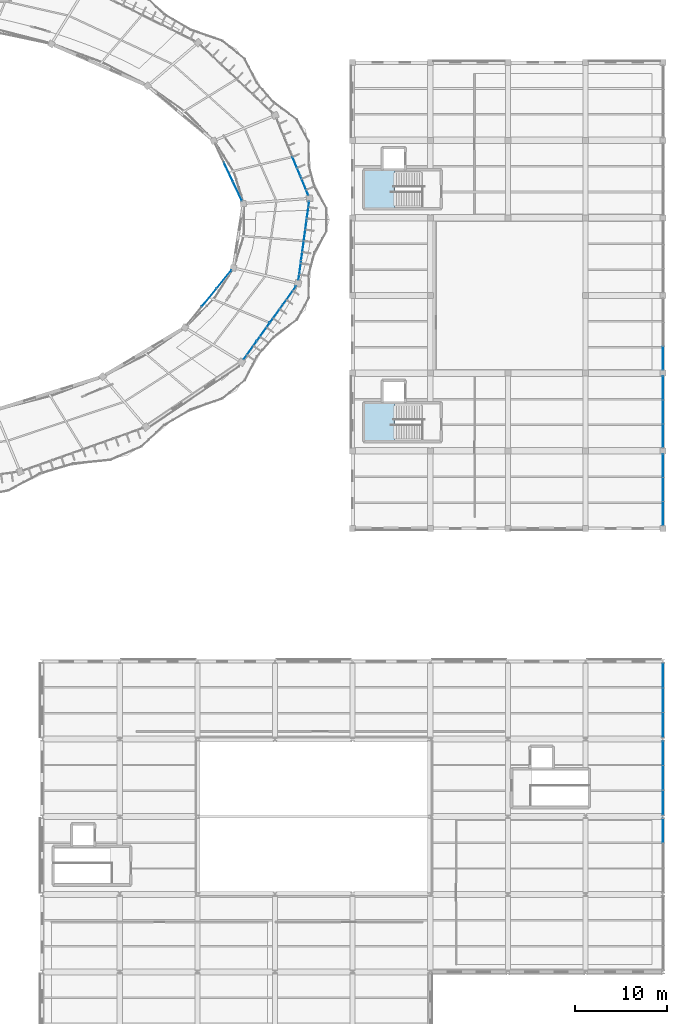
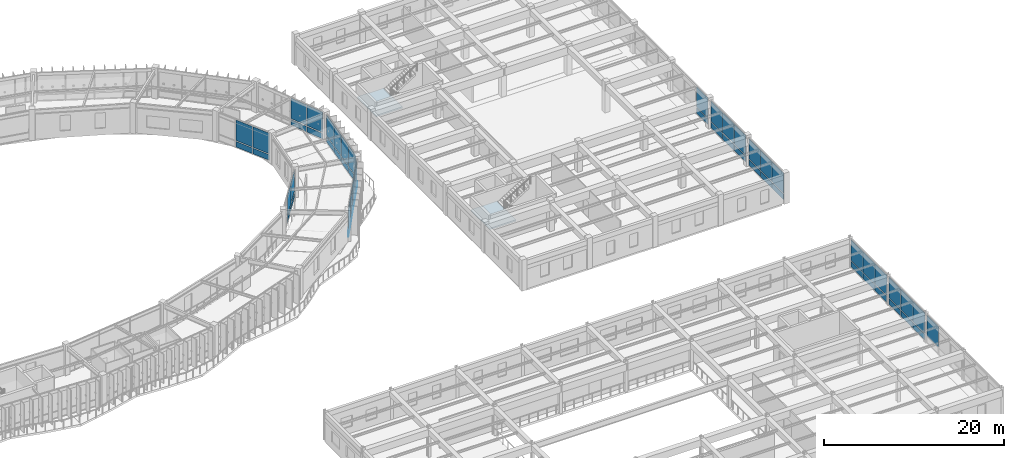
# One storey, part 107 of 138: 55 plates, 2 slabs, 13 elements without a shape of their own.
"""IFC4 building model written with IfcOpenShell, lengths in metres."""

from ifc_helpers import new_model, si_unit, direction, frame, origin, origin_2d, place, context, subcontext, project, spatial, polyline, rectangle, outline, extrude, material, layer, layer_set, type_object, element, aggregate, save


model = new_model("IFC4")

# Units and contexts
model_context = context("Model", 3, precision=1e-05, world=origin(), true_north=direction((0.0, 1.0)))
body_context = subcontext(model_context, "Body", "Model", "MODEL_VIEW")
ifc_project = project(units=[si_unit("LENGTHUNIT", "METRE"), si_unit("AREAUNIT", "SQUARE_METRE"), si_unit("VOLUMEUNIT", "CUBIC_METRE"), si_unit("PLANEANGLEUNIT", "RADIAN"), si_unit("MASSUNIT", "GRAM", prefix="KILO"), si_unit("THERMODYNAMICTEMPERATUREUNIT", "KELVIN"), si_unit("POWERUNIT", "WATT")], contexts=[model_context])

# Site, building, storey
site_placement = place(None, origin())
site = spatial("IfcSite", under=ifc_project, at=site_placement, CompositionType="ELEMENT")
building_placement = place(site_placement, origin())
building = spatial("IfcBuilding", under=site, at=building_placement, Name="Darbajah Civic Hall", CompositionType="ELEMENT")
storey_placement = place(building_placement, frame((0.0, 0.0, 9.60009765625)))
storey = spatial("IfcBuildingStorey", under=building, at=storey_placement, Name="L02", CompositionType="ELEMENT", Elevation=9.60009765625)

# Curtain wall, plates
ifc_material_1 = material(Name="Anodised Bronze Aluminium and Low-E Glazing", Category="aluminium")
curtain_wall_type_1 = type_object("IfcCurtainWallType", Name="Unitised Curtain Wall CW-38 6800x3900", PredefinedType="USERDEFINED", material=ifc_material_1)
curtain_wall_1_placement = place(storey_placement, origin())
curtain_wall_1 = element("IfcCurtainWall", 1, at=curtain_wall_1_placement, inside=storey, type_object=curtain_wall_type_1, Name="L02 unitised curtain wall CW-V1I-L02-00", ObjectType="UNITISED CURTAIN WALL", PredefinedType="USERDEFINED")
ifc_material_2 = material(Name="Low-E Solar Control Double Glazing", Category="glass")
ifc_layer_1 = layer(ifc_material_2, 0.028076171875, Name="Low-E Solar Control Double Glazing")
ifc_layer_set_1 = layer_set([ifc_layer_1], Name="Low-E Solar Control Double Glazing")
plate_type_1 = type_object("IfcPlateType", Name="Solar Double Glazing 28mm", PredefinedType="CURTAIN_PANEL", material=ifc_layer_set_1)
plate_1_placement = place(storey_placement, frame((132.138916015625, 92.87744140625, 0.119873046875), z_axis=(0.0, 0.0, 1.0), x_axis=(-0.426568739901, 0.904455145454, 0.0)))
plate_1 = element("IfcPlate", 2, at=plate_1_placement, type_object=plate_type_1, Name="CW-V1I-L02-00 glazed panel 1.1", PredefinedType="CURTAIN_PANEL", context=body_context, shape_type="SweptSolid", body=[
    extrude(rectangle(XDim=2.212158203125, YDim=0.028076171875, at=origin_2d()), origin(), (0.0, 0.0, 1.0), 0.77001953125),
])
plate_2_placement = place(storey_placement, frame((132.138916015625, 92.87744140625, 1.009765625), z_axis=(0.0, 0.0, 1.0), x_axis=(-0.426568739901, 0.904455145454, 0.0)))
plate_2 = element("IfcPlate", 3, at=plate_2_placement, type_object=plate_type_1, Name="CW-V1I-L02-00 glazed panel 1.2", PredefinedType="CURTAIN_PANEL", context=body_context, shape_type="SweptSolid", body=[
    extrude(rectangle(XDim=2.212158203125, YDim=0.028076171875, at=origin_2d()), origin(), (0.0, 0.0, 1.0), 2.7900390625),
])
plate_3_placement = place(storey_placement, frame((131.16552734375, 94.941650390625, 0.119873046875), z_axis=(0.0, 0.0, 1.0), x_axis=(-0.426568739901, 0.904455145454, 0.0)))
plate_3 = element("IfcPlate", 4, at=plate_3_placement, type_object=plate_type_1, Name="CW-V1I-L02-00 glazed panel 2.1", PredefinedType="CURTAIN_PANEL", context=body_context, shape_type="SweptSolid", body=[
    extrude(rectangle(XDim=2.212158203125, YDim=0.028076171875, at=origin_2d()), origin(), (0.0, 0.0, 1.0), 0.77001953125),
])
plate_4_placement = place(storey_placement, frame((131.16552734375, 94.941650390625, 1.009765625), z_axis=(0.0, 0.0, 1.0), x_axis=(-0.426568739901, 0.904455145454, 0.0)))
plate_4 = element("IfcPlate", 5, at=plate_4_placement, type_object=plate_type_1, Name="CW-V1I-L02-00 glazed panel 2.2", PredefinedType="CURTAIN_PANEL", context=body_context, shape_type="SweptSolid", body=[
    extrude(rectangle(XDim=2.212158203125, YDim=0.028076171875, at=origin_2d()), origin(), (0.0, 0.0, 1.0), 2.7900390625),
])
aggregate(curtain_wall_1, [plate_1, plate_2, plate_3, plate_4])

curtain_wall_type_2 = type_object("IfcCurtainWallType", Name="Unitised Curtain Wall CW-52 7700x3900", PredefinedType="USERDEFINED", material=ifc_material_1)
curtain_wall_2_placement = place(storey_placement, origin())
curtain_wall_2 = element("IfcCurtainWall", 6, at=curtain_wall_2_placement, inside=storey, type_object=curtain_wall_type_2, Name="L02 unitised curtain wall CW-V1I-L02-18", ObjectType="UNITISED CURTAIN WALL", PredefinedType="USERDEFINED")
plate_5_placement = place(storey_placement, frame((129.067626953125, 81.371337890625, 0.119873046875), z_axis=(0.0, 0.0, 1.0), x_axis=(0.63108205791, 0.775716079622, 0.0)))
plate_5 = element("IfcPlate", 7, at=plate_5_placement, type_object=plate_type_1, Name="CW-V1I-L02-18 glazed panel 2.1", PredefinedType="CURTAIN_PANEL", context=body_context, shape_type="SweptSolid", body=[
    extrude(rectangle(XDim=2.48193359375, YDim=0.028076171875, at=origin_2d()), origin(), (0.0, 0.0, 1.0), 0.77001953125),
])
plate_6_placement = place(storey_placement, frame((129.067626953125, 81.371337890625, 1.009765625), z_axis=(0.0, 0.0, 1.0), x_axis=(0.63108205791, 0.775716079622, 0.0)))
plate_6 = element("IfcPlate", 8, at=plate_6_placement, type_object=plate_type_1, Name="CW-V1I-L02-18 glazed panel 2.2", PredefinedType="CURTAIN_PANEL", context=body_context, shape_type="SweptSolid", body=[
    extrude(rectangle(XDim=2.48193359375, YDim=0.028076171875, at=origin_2d()), origin(), (0.0, 0.0, 1.0), 2.7900390625),
])
plate_7_placement = place(storey_placement, frame((130.67822265625, 83.350830078125, 0.119873046875), z_axis=(0.0, 0.0, 1.0), x_axis=(0.63108205791, 0.775716079622, 0.0)))
plate_7 = element("IfcPlate", 9, at=plate_7_placement, type_object=plate_type_1, Name="CW-V1I-L02-18 glazed panel 3.1", PredefinedType="CURTAIN_PANEL", context=body_context, shape_type="SweptSolid", body=[
    extrude(rectangle(XDim=2.48193359375, YDim=0.028076171875, at=origin_2d()), origin(), (0.0, 0.0, 1.0), 0.77001953125),
])
plate_8_placement = place(storey_placement, frame((130.67822265625, 83.350830078125, 1.009765625), z_axis=(0.0, 0.0, 1.0), x_axis=(0.63108205791, 0.775716079622, 0.0)))
plate_8 = element("IfcPlate", 10, at=plate_8_placement, type_object=plate_type_1, Name="CW-V1I-L02-18 glazed panel 3.2", PredefinedType="CURTAIN_PANEL", context=body_context, shape_type="SweptSolid", body=[
    extrude(rectangle(XDim=2.48193359375, YDim=0.028076171875, at=origin_2d()), origin(), (0.0, 0.0, 1.0), 2.7900390625),
])
aggregate(curtain_wall_2, [plate_5, plate_6, plate_7, plate_8])

curtain_wall_type_3 = type_object("IfcCurtainWallType", Name="Unitised Curtain Wall CW-53 8600x3900", PredefinedType="USERDEFINED", material=ifc_material_1)
curtain_wall_3_placement = place(storey_placement, origin())
curtain_wall_3 = element("IfcCurtainWall", 11, at=curtain_wall_3_placement, inside=storey, type_object=curtain_wall_type_3, Name="L02 unitised curtain wall CW-V1O-L02-19", ObjectType="UNITISED CURTAIN WALL", PredefinedType="USERDEFINED")
plate_9_placement = place(storey_placement, frame((138.883056640625, 84.3251953125, 0.119873046875), z_axis=(0.0, 0.0, 1.0), x_axis=(0.134850930274, 0.990865897387, 0.0)))
plate_9 = element("IfcPlate", 12, at=plate_9_placement, type_object=plate_type_1, Name="CW-V1O-L02-19 glazed panel 1.1", PredefinedType="CURTAIN_PANEL", context=body_context, shape_type="SweptSolid", body=[
    extrude(rectangle(XDim=2.075439453125, YDim=0.028076171875, at=origin_2d()), origin(), (0.0, 0.0, 1.0), 0.77001953125),
])
plate_10_placement = place(storey_placement, frame((138.883056640625, 84.3251953125, 1.009765625), z_axis=(0.0, 0.0, 1.0), x_axis=(0.134850930274, 0.990865897387, 0.0)))
plate_10 = element("IfcPlate", 13, at=plate_10_placement, type_object=plate_type_1, Name="CW-V1O-L02-19 glazed panel 1.2", PredefinedType="CURTAIN_PANEL", context=body_context, shape_type="SweptSolid", body=[
    extrude(rectangle(XDim=2.075439453125, YDim=0.028076171875, at=origin_2d()), origin(), (0.0, 0.0, 1.0), 2.7900390625),
])
plate_11_placement = place(storey_placement, frame((139.172119140625, 86.450927734375, 0.119873046875), z_axis=(0.0, 0.0, 1.0), x_axis=(0.134850930274, 0.990865897387, 0.0)))
plate_11 = element("IfcPlate", 14, at=plate_11_placement, type_object=plate_type_1, Name="CW-V1O-L02-19 glazed panel 2.1", PredefinedType="CURTAIN_PANEL", context=body_context, shape_type="SweptSolid", body=[
    extrude(rectangle(XDim=2.075439453125, YDim=0.028076171875, at=origin_2d()), origin(), (0.0, 0.0, 1.0), 0.77001953125),
])
plate_12_placement = place(storey_placement, frame((139.172119140625, 86.450927734375, 1.009765625), z_axis=(0.0, 0.0, 1.0), x_axis=(0.134850930274, 0.990865897387, 0.0)))
plate_12 = element("IfcPlate", 15, at=plate_12_placement, type_object=plate_type_1, Name="CW-V1O-L02-19 glazed panel 2.2", PredefinedType="CURTAIN_PANEL", context=body_context, shape_type="SweptSolid", body=[
    extrude(rectangle(XDim=2.075439453125, YDim=0.028076171875, at=origin_2d()), origin(), (0.0, 0.0, 1.0), 2.7900390625),
])
plate_13_placement = place(storey_placement, frame((139.46142578125, 88.576904296875, 0.119873046875), z_axis=(0.0, 0.0, 1.0), x_axis=(0.134850930274, 0.990865897387, 0.0)))
plate_13 = element("IfcPlate", 16, at=plate_13_placement, type_object=plate_type_1, Name="CW-V1O-L02-19 glazed panel 3.1", PredefinedType="CURTAIN_PANEL", context=body_context, shape_type="SweptSolid", body=[
    extrude(rectangle(XDim=2.075439453125, YDim=0.028076171875, at=origin_2d()), origin(), (0.0, 0.0, 1.0), 0.77001953125),
])
plate_14_placement = place(storey_placement, frame((139.46142578125, 88.576904296875, 1.009765625), z_axis=(0.0, 0.0, 1.0), x_axis=(0.134850930274, 0.990865897387, 0.0)))
plate_14 = element("IfcPlate", 17, at=plate_14_placement, type_object=plate_type_1, Name="CW-V1O-L02-19 glazed panel 3.2", PredefinedType="CURTAIN_PANEL", context=body_context, shape_type="SweptSolid", body=[
    extrude(rectangle(XDim=2.075439453125, YDim=0.028076171875, at=origin_2d()), origin(), (0.0, 0.0, 1.0), 2.7900390625),
])
plate_15_placement = place(storey_placement, frame((139.750732421875, 90.70263671875, 0.119873046875), z_axis=(0.0, 0.0, 1.0), x_axis=(0.134850930274, 0.990865897387, 0.0)))
plate_15 = element("IfcPlate", 18, at=plate_15_placement, type_object=plate_type_1, Name="CW-V1O-L02-19 glazed panel 4.1", PredefinedType="CURTAIN_PANEL", context=body_context, shape_type="SweptSolid", body=[
    extrude(rectangle(XDim=2.075439453125, YDim=0.028076171875, at=origin_2d()), origin(), (0.0, 0.0, 1.0), 0.77001953125),
])
plate_16_placement = place(storey_placement, frame((139.750732421875, 90.70263671875, 1.009765625), z_axis=(0.0, 0.0, 1.0), x_axis=(0.134850930274, 0.990865897387, 0.0)))
plate_16 = element("IfcPlate", 19, at=plate_16_placement, type_object=plate_type_1, Name="CW-V1O-L02-19 glazed panel 4.2", PredefinedType="CURTAIN_PANEL", context=body_context, shape_type="SweptSolid", body=[
    extrude(rectangle(XDim=2.075439453125, YDim=0.028076171875, at=origin_2d()), origin(), (0.0, 0.0, 1.0), 2.7900390625),
])
aggregate(curtain_wall_3, [plate_9, plate_10, plate_11, plate_12, plate_13, plate_14, plate_15, plate_16])

curtain_wall_type_4 = type_object("IfcCurtainWallType", Name="Unitised Curtain Wall CW-37 9000x3900", PredefinedType="USERDEFINED", material=ifc_material_1)
curtain_wall_4_placement = place(storey_placement, origin())
curtain_wall_4 = element("IfcCurtainWall", 20, at=curtain_wall_4_placement, inside=storey, type_object=curtain_wall_type_4, Name="L02 unitised curtain wall CW-V1O-L02-00", ObjectType="UNITISED CURTAIN WALL", PredefinedType="USERDEFINED")
ifc_layer_2 = layer(ifc_material_2, 0.031982421875, Name="Low-E Solar Control Double Glazing")
ifc_layer_set_2 = layer_set([ifc_layer_2], Name="Low-E Solar Control Double Glazing")
plate_type_2 = type_object("IfcPlateType", Name="Solar Double Glazing 32mm", PredefinedType="CURTAIN_PANEL", material=ifc_layer_set_2)
plate_17_placement = place(storey_placement, frame((139.3759765625, 93.47998046875, 0.14013671875), z_axis=(0.0, 0.0, 1.0), x_axis=(-0.383328328644, 0.923612143954, 0.0)))
plate_17 = element("IfcPlate", 21, at=plate_17_placement, type_object=plate_type_2, Name="CW-V1O-L02-00 glazed panel 1.1", PredefinedType="CURTAIN_PANEL", context=body_context, shape_type="SweptSolid", body=[
    extrude(rectangle(XDim=2.17822265625, YDim=0.031982421875, at=origin_2d()), origin(), (0.0, 0.0, 1.0), 0.739990234375),
])
plate_18_placement = place(storey_placement, frame((139.3759765625, 93.47998046875, 1.02001953125), z_axis=(0.0, 0.0, 1.0), x_axis=(-0.383328328644, 0.923612143954, 0.0)))
plate_18 = element("IfcPlate", 22, at=plate_18_placement, type_object=plate_type_2, Name="CW-V1O-L02-00 glazed panel 1.2", PredefinedType="CURTAIN_PANEL", context=body_context, shape_type="SweptSolid", body=[
    extrude(rectangle(XDim=2.17822265625, YDim=0.031982421875, at=origin_2d()), origin(), (0.0, 0.0, 1.0), 2.760009765625),
])
plate_19_placement = place(storey_placement, frame((138.51220703125, 95.561279296875, 0.14013671875), z_axis=(0.0, 0.0, 1.0), x_axis=(-0.383328328644, 0.923612143954, 0.0)))
plate_19 = element("IfcPlate", 23, at=plate_19_placement, type_object=plate_type_2, Name="CW-V1O-L02-00 glazed panel 2.1", PredefinedType="CURTAIN_PANEL", context=body_context, shape_type="SweptSolid", body=[
    extrude(rectangle(XDim=2.17822265625, YDim=0.031982421875, at=origin_2d()), origin(), (0.0, 0.0, 1.0), 0.739990234375),
])
plate_20_placement = place(storey_placement, frame((138.51220703125, 95.561279296875, 1.02001953125), z_axis=(0.0, 0.0, 1.0), x_axis=(-0.383328328644, 0.923612143954, 0.0)))
plate_20 = element("IfcPlate", 24, at=plate_20_placement, type_object=plate_type_2, Name="CW-V1O-L02-00 glazed panel 2.2", PredefinedType="CURTAIN_PANEL", context=body_context, shape_type="SweptSolid", body=[
    extrude(rectangle(XDim=2.17822265625, YDim=0.031982421875, at=origin_2d()), origin(), (0.0, 0.0, 1.0), 2.760009765625),
])
aggregate(curtain_wall_4, [plate_17, plate_18, plate_19, plate_20])

curtain_wall_type_5 = type_object("IfcCurtainWallType", Name="Unitised Curtain Wall CW-51 9800x3900", PredefinedType="USERDEFINED", material=ifc_material_1)
curtain_wall_5_placement = place(storey_placement, origin())
curtain_wall_5 = element("IfcCurtainWall", 25, at=curtain_wall_5_placement, inside=storey, type_object=curtain_wall_type_5, Name="L02 unitised curtain wall CW-V1O-L02-18", ObjectType="UNITISED CURTAIN WALL", PredefinedType="USERDEFINED")
plate_21_placement = place(storey_placement, frame((133.501708984375, 75.6669921875, 0.14013671875), z_axis=(0.0, 0.0, 1.0), x_axis=(0.582264874145, 0.812999149039, 0.0)))
plate_21 = element("IfcPlate", 26, at=plate_21_placement, type_object=plate_type_2, Name="CW-V1O-L02-18 glazed panel 1.1", PredefinedType="CURTAIN_PANEL", context=body_context, shape_type="SweptSolid", body=[
    extrude(rectangle(XDim=2.37109375, YDim=0.031982421875, at=origin_2d()), origin(), (0.0, 0.0, 1.0), 0.739990234375),
])
plate_22_placement = place(storey_placement, frame((133.501708984375, 75.6669921875, 1.02001953125), z_axis=(0.0, 0.0, 1.0), x_axis=(0.582264874145, 0.812999149039, 0.0)))
plate_22 = element("IfcPlate", 27, at=plate_22_placement, type_object=plate_type_2, Name="CW-V1O-L02-18 glazed panel 1.2", PredefinedType="CURTAIN_PANEL", context=body_context, shape_type="SweptSolid", body=[
    extrude(rectangle(XDim=2.37109375, YDim=0.031982421875, at=origin_2d()), origin(), (0.0, 0.0, 1.0), 2.760009765625),
])
plate_23_placement = place(storey_placement, frame((134.92578125, 77.655517578125, 0.14013671875), z_axis=(0.0, 0.0, 1.0), x_axis=(0.582264874145, 0.812999149039, 0.0)))
plate_23 = element("IfcPlate", 28, at=plate_23_placement, type_object=plate_type_2, Name="CW-V1O-L02-18 glazed panel 2.1", PredefinedType="CURTAIN_PANEL", context=body_context, shape_type="SweptSolid", body=[
    extrude(rectangle(XDim=2.37109375, YDim=0.031982421875, at=origin_2d()), origin(), (0.0, 0.0, 1.0), 0.739990234375),
])
plate_24_placement = place(storey_placement, frame((134.92578125, 77.655517578125, 1.02001953125), z_axis=(0.0, 0.0, 1.0), x_axis=(0.582264874145, 0.812999149039, 0.0)))
plate_24 = element("IfcPlate", 29, at=plate_24_placement, type_object=plate_type_2, Name="CW-V1O-L02-18 glazed panel 2.2", PredefinedType="CURTAIN_PANEL", context=body_context, shape_type="SweptSolid", body=[
    extrude(rectangle(XDim=2.37109375, YDim=0.031982421875, at=origin_2d()), origin(), (0.0, 0.0, 1.0), 2.760009765625),
])
plate_25_placement = place(storey_placement, frame((136.349853515625, 79.64404296875, 0.14013671875), z_axis=(0.0, 0.0, 1.0), x_axis=(0.582264874145, 0.812999149039, 0.0)))
plate_25 = element("IfcPlate", 30, at=plate_25_placement, type_object=plate_type_2, Name="CW-V1O-L02-18 glazed panel 3.1", PredefinedType="CURTAIN_PANEL", context=body_context, shape_type="SweptSolid", body=[
    extrude(rectangle(XDim=2.37109375, YDim=0.031982421875, at=origin_2d()), origin(), (0.0, 0.0, 1.0), 0.739990234375),
])
plate_26_placement = place(storey_placement, frame((136.349853515625, 79.64404296875, 1.02001953125), z_axis=(0.0, 0.0, 1.0), x_axis=(0.582264874145, 0.812999149039, 0.0)))
plate_26 = element("IfcPlate", 31, at=plate_26_placement, type_object=plate_type_2, Name="CW-V1O-L02-18 glazed panel 3.2", PredefinedType="CURTAIN_PANEL", context=body_context, shape_type="SweptSolid", body=[
    extrude(rectangle(XDim=2.37109375, YDim=0.031982421875, at=origin_2d()), origin(), (0.0, 0.0, 1.0), 2.760009765625),
])
plate_27_placement = place(storey_placement, frame((137.77392578125, 81.6328125, 0.14013671875), z_axis=(0.0, 0.0, 1.0), x_axis=(0.582264874145, 0.812999149039, 0.0)))
plate_27 = element("IfcPlate", 32, at=plate_27_placement, type_object=plate_type_2, Name="CW-V1O-L02-18 glazed panel 4.1", PredefinedType="CURTAIN_PANEL", context=body_context, shape_type="SweptSolid", body=[
    extrude(rectangle(XDim=2.37109375, YDim=0.031982421875, at=origin_2d()), origin(), (0.0, 0.0, 1.0), 0.739990234375),
])
plate_28_placement = place(storey_placement, frame((137.77392578125, 81.6328125, 1.02001953125), z_axis=(0.0, 0.0, 1.0), x_axis=(0.582264874145, 0.812999149039, 0.0)))
plate_28 = element("IfcPlate", 33, at=plate_28_placement, type_object=plate_type_2, Name="CW-V1O-L02-18 glazed panel 4.2", PredefinedType="CURTAIN_PANEL", context=body_context, shape_type="SweptSolid", body=[
    extrude(rectangle(XDim=2.37109375, YDim=0.031982421875, at=origin_2d()), origin(), (0.0, 0.0, 1.0), 2.760009765625),
])
aggregate(curtain_wall_5, [plate_21, plate_22, plate_23, plate_24, plate_25, plate_26, plate_27, plate_28])

# Curtain wall, plate
curtain_wall_type_6 = type_object("IfcCurtainWallType", Name="Unitised Curtain Wall CW-94 8000x3900", PredefinedType="USERDEFINED", material=ifc_material_1)
curtain_wall_6_placement = place(storey_placement, origin())
curtain_wall_6 = element("IfcCurtainWall", 34, at=curtain_wall_6_placement, inside=storey, type_object=curtain_wall_type_6, Name="L02 unitised curtain wall CW-V3-L02-S3-B1", ObjectType="UNITISED CURTAIN WALL", PredefinedType="USERDEFINED")
plate_29_placement = place(storey_placement, frame((178.199951171875, 23.674560546875, 1.009765625), z_axis=(0.0, 0.0, 1.0), x_axis=(0.0, 1.0, 0.0)))
plate_29 = element("IfcPlate", 35, at=plate_29_placement, type_object=plate_type_2, Name="CW-V3-L02-S3-B1 glazed panel 3.2", PredefinedType="CURTAIN_PANEL", context=body_context, shape_type="SweptSolid", body=[
    extrude(rectangle(XDim=2.6044921875, YDim=0.031982421875, at=origin_2d()), origin(), (0.0, 0.0, 1.0), 2.7900390625),
])
aggregate(curtain_wall_6, [plate_29])

# Curtain wall, plates
curtain_wall_7_placement = place(storey_placement, origin())
curtain_wall_7 = element("IfcCurtainWall", 36, at=curtain_wall_7_placement, inside=storey, type_object=curtain_wall_type_6, Name="L02 unitised curtain wall CW-V3-L02-S3-B2", ObjectType="UNITISED CURTAIN WALL", PredefinedType="USERDEFINED")
plate_30_placement = place(storey_placement, frame((178.199951171875, 26.7255859375, 0.119873046875), z_axis=(0.0, 0.0, 1.0), x_axis=(0.0, 1.0, 0.0)))
plate_30 = element("IfcPlate", 37, at=plate_30_placement, type_object=plate_type_2, Name="CW-V3-L02-S3-B2 glazed panel 1.1", PredefinedType="CURTAIN_PANEL", context=body_context, shape_type="SweptSolid", body=[
    extrude(rectangle(XDim=2.6044921875, YDim=0.031982421875, at=origin_2d()), origin(), (0.0, 0.0, 1.0), 0.77001953125),
])
plate_31_placement = place(storey_placement, frame((178.199951171875, 26.7255859375, 1.009765625), z_axis=(0.0, 0.0, 1.0), x_axis=(0.0, 1.0, 0.0)))
plate_31 = element("IfcPlate", 38, at=plate_31_placement, type_object=plate_type_2, Name="CW-V3-L02-S3-B2 glazed panel 1.2", PredefinedType="CURTAIN_PANEL", context=body_context, shape_type="SweptSolid", body=[
    extrude(rectangle(XDim=2.6044921875, YDim=0.031982421875, at=origin_2d()), origin(), (0.0, 0.0, 1.0), 2.7900390625),
])
plate_32_placement = place(storey_placement, frame((178.199951171875, 29.39990234375, 0.119873046875), z_axis=(0.0, 0.0, 1.0), x_axis=(0.0, 1.0, 0.0)))
plate_32 = element("IfcPlate", 39, at=plate_32_placement, type_object=plate_type_2, Name="CW-V3-L02-S3-B2 glazed panel 2.1", PredefinedType="CURTAIN_PANEL", context=body_context, shape_type="SweptSolid", body=[
    extrude(rectangle(XDim=2.6044921875, YDim=0.031982421875, at=origin_2d()), origin(), (0.0, 0.0, 1.0), 0.77001953125),
])
plate_33_placement = place(storey_placement, frame((178.199951171875, 29.39990234375, 1.009765625), z_axis=(0.0, 0.0, 1.0), x_axis=(0.0, 1.0, 0.0)))
plate_33 = element("IfcPlate", 40, at=plate_33_placement, type_object=plate_type_2, Name="CW-V3-L02-S3-B2 glazed panel 2.2", PredefinedType="CURTAIN_PANEL", context=body_context, shape_type="SweptSolid", body=[
    extrude(rectangle(XDim=2.6044921875, YDim=0.031982421875, at=origin_2d()), origin(), (0.0, 0.0, 1.0), 2.7900390625),
])
plate_34_placement = place(storey_placement, frame((178.199951171875, 32.074462890625, 0.119873046875), z_axis=(0.0, 0.0, 1.0), x_axis=(0.0, 1.0, 0.0)))
plate_34 = element("IfcPlate", 41, at=plate_34_placement, type_object=plate_type_2, Name="CW-V3-L02-S3-B2 glazed panel 3.1", PredefinedType="CURTAIN_PANEL", context=body_context, shape_type="SweptSolid", body=[
    extrude(rectangle(XDim=2.6044921875, YDim=0.031982421875, at=origin_2d()), origin(), (0.0, 0.0, 1.0), 0.77001953125),
])
plate_35_placement = place(storey_placement, frame((178.199951171875, 32.074462890625, 1.009765625), z_axis=(0.0, 0.0, 1.0), x_axis=(0.0, 1.0, 0.0)))
plate_35 = element("IfcPlate", 42, at=plate_35_placement, type_object=plate_type_2, Name="CW-V3-L02-S3-B2 glazed panel 3.2", PredefinedType="CURTAIN_PANEL", context=body_context, shape_type="SweptSolid", body=[
    extrude(rectangle(XDim=2.6044921875, YDim=0.031982421875, at=origin_2d()), origin(), (0.0, 0.0, 1.0), 2.7900390625),
])
aggregate(curtain_wall_7, [plate_30, plate_31, plate_32, plate_33, plate_34, plate_35])

curtain_wall_8_placement = place(storey_placement, origin())
curtain_wall_8 = element("IfcCurtainWall", 43, at=curtain_wall_8_placement, inside=storey, type_object=curtain_wall_type_6, Name="L02 unitised curtain wall CW-V3-L02-S3-B3", ObjectType="UNITISED CURTAIN WALL", PredefinedType="USERDEFINED")
plate_36_placement = place(storey_placement, frame((178.199951171875, 35.12548828125, 0.119873046875), z_axis=(0.0, 0.0, 1.0), x_axis=(0.0, 1.0, 0.0)))
plate_36 = element("IfcPlate", 44, at=plate_36_placement, type_object=plate_type_2, Name="CW-V3-L02-S3-B3 glazed panel 1.1", PredefinedType="CURTAIN_PANEL", context=body_context, shape_type="SweptSolid", body=[
    extrude(rectangle(XDim=2.6044921875, YDim=0.031982421875, at=origin_2d()), origin(), (0.0, 0.0, 1.0), 0.77001953125),
])
plate_37_placement = place(storey_placement, frame((178.199951171875, 35.12548828125, 1.009765625), z_axis=(0.0, 0.0, 1.0), x_axis=(0.0, 1.0, 0.0)))
plate_37 = element("IfcPlate", 45, at=plate_37_placement, type_object=plate_type_2, Name="CW-V3-L02-S3-B3 glazed panel 1.2", PredefinedType="CURTAIN_PANEL", context=body_context, shape_type="SweptSolid", body=[
    extrude(rectangle(XDim=2.6044921875, YDim=0.031982421875, at=origin_2d()), origin(), (0.0, 0.0, 1.0), 2.7900390625),
])
plate_38_placement = place(storey_placement, frame((178.199951171875, 37.800048828125, 0.119873046875), z_axis=(0.0, 0.0, 1.0), x_axis=(0.0, 1.0, 0.0)))
plate_38 = element("IfcPlate", 46, at=plate_38_placement, type_object=plate_type_2, Name="CW-V3-L02-S3-B3 glazed panel 2.1", PredefinedType="CURTAIN_PANEL", context=body_context, shape_type="SweptSolid", body=[
    extrude(rectangle(XDim=2.6044921875, YDim=0.031982421875, at=origin_2d()), origin(), (0.0, 0.0, 1.0), 0.77001953125),
])
plate_39_placement = place(storey_placement, frame((178.199951171875, 37.800048828125, 1.009765625), z_axis=(0.0, 0.0, 1.0), x_axis=(0.0, 1.0, 0.0)))
plate_39 = element("IfcPlate", 47, at=plate_39_placement, type_object=plate_type_2, Name="CW-V3-L02-S3-B3 glazed panel 2.2", PredefinedType="CURTAIN_PANEL", context=body_context, shape_type="SweptSolid", body=[
    extrude(rectangle(XDim=2.6044921875, YDim=0.031982421875, at=origin_2d()), origin(), (0.0, 0.0, 1.0), 2.7900390625),
])
plate_40_placement = place(storey_placement, frame((178.199951171875, 40.474365234375, 0.119873046875), z_axis=(0.0, 0.0, 1.0), x_axis=(0.0, 1.0, 0.0)))
plate_40 = element("IfcPlate", 48, at=plate_40_placement, type_object=plate_type_2, Name="CW-V3-L02-S3-B3 glazed panel 3.1", PredefinedType="CURTAIN_PANEL", context=body_context, shape_type="SweptSolid", body=[
    extrude(rectangle(XDim=2.6044921875, YDim=0.031982421875, at=origin_2d()), origin(), (0.0, 0.0, 1.0), 0.77001953125),
])
plate_41_placement = place(storey_placement, frame((178.199951171875, 40.474365234375, 1.009765625), z_axis=(0.0, 0.0, 1.0), x_axis=(0.0, 1.0, 0.0)))
plate_41 = element("IfcPlate", 49, at=plate_41_placement, type_object=plate_type_2, Name="CW-V3-L02-S3-B3 glazed panel 3.2", PredefinedType="CURTAIN_PANEL", context=body_context, shape_type="SweptSolid", body=[
    extrude(rectangle(XDim=2.6044921875, YDim=0.031982421875, at=origin_2d()), origin(), (0.0, 0.0, 1.0), 2.7900390625),
])
aggregate(curtain_wall_8, [plate_36, plate_37, plate_38, plate_39, plate_40, plate_41])

curtain_wall_type_7 = type_object("IfcCurtainWallType", Name="Unitised Curtain Wall CW-97 7700x3850", PredefinedType="USERDEFINED", material=ifc_material_1)
curtain_wall_9_placement = place(storey_placement, origin())
curtain_wall_9 = element("IfcCurtainWall", 50, at=curtain_wall_9_placement, inside=storey, type_object=curtain_wall_type_7, Name="L02 unitised curtain wall CW-V4-L02-S1-B0", ObjectType="UNITISED CURTAIN WALL", PredefinedType="USERDEFINED")
plate_42_placement = place(storey_placement, frame((178.199951171875, 58.01806640625, 0.119873046875), z_axis=(0.0, 0.0, 1.0), x_axis=(0.0, 1.0, 0.0)))
plate_42 = element("IfcPlate", 51, at=plate_42_placement, type_object=plate_type_2, Name="CW-V4-L02-S1-B0 glazed panel 1.1", PredefinedType="CURTAIN_PANEL", context=body_context, shape_type="SweptSolid", body=[
    extrude(rectangle(XDim=2.511962890625, YDim=0.031982421875, at=origin_2d()), origin(), (0.0, 0.0, 1.0), 0.77001953125),
])
plate_43_placement = place(storey_placement, frame((178.199951171875, 58.01806640625, 1.010009765625), z_axis=(0.0, 0.0, 1.0), x_axis=(0.0, 1.0, 0.0)))
plate_43 = element("IfcPlate", 52, at=plate_43_placement, type_object=plate_type_2, Name="CW-V4-L02-S1-B0 glazed panel 1.2", PredefinedType="CURTAIN_PANEL", context=body_context, shape_type="SweptSolid", body=[
    extrude(rectangle(XDim=2.511962890625, YDim=0.031982421875, at=origin_2d()), origin(), (0.0, 0.0, 1.0), 2.72998046875),
])
plate_44_placement = place(storey_placement, frame((178.199951171875, 60.60009765625, 0.119873046875), z_axis=(0.0, 0.0, 1.0), x_axis=(0.0, 1.0, 0.0)))
plate_44 = element("IfcPlate", 53, at=plate_44_placement, type_object=plate_type_2, Name="CW-V4-L02-S1-B0 glazed panel 2.1", PredefinedType="CURTAIN_PANEL", context=body_context, shape_type="SweptSolid", body=[
    extrude(rectangle(XDim=2.511962890625, YDim=0.031982421875, at=origin_2d()), origin(), (0.0, 0.0, 1.0), 0.77001953125),
])
plate_45_placement = place(storey_placement, frame((178.199951171875, 60.60009765625, 1.010009765625), z_axis=(0.0, 0.0, 1.0), x_axis=(0.0, 1.0, 0.0)))
plate_45 = element("IfcPlate", 54, at=plate_45_placement, type_object=plate_type_2, Name="CW-V4-L02-S1-B0 glazed panel 2.2", PredefinedType="CURTAIN_PANEL", context=body_context, shape_type="SweptSolid", body=[
    extrude(rectangle(XDim=2.511962890625, YDim=0.031982421875, at=origin_2d()), origin(), (0.0, 0.0, 1.0), 2.72998046875),
])
plate_46_placement = place(storey_placement, frame((178.199951171875, 63.181884765625, 0.119873046875), z_axis=(0.0, 0.0, 1.0), x_axis=(0.0, 1.0, 0.0)))
plate_46 = element("IfcPlate", 55, at=plate_46_placement, type_object=plate_type_2, Name="CW-V4-L02-S1-B0 glazed panel 3.1", PredefinedType="CURTAIN_PANEL", context=body_context, shape_type="SweptSolid", body=[
    extrude(rectangle(XDim=2.511962890625, YDim=0.031982421875, at=origin_2d()), origin(), (0.0, 0.0, 1.0), 0.77001953125),
])
plate_47_placement = place(storey_placement, frame((178.199951171875, 63.181884765625, 1.010009765625), z_axis=(0.0, 0.0, 1.0), x_axis=(0.0, 1.0, 0.0)))
plate_47 = element("IfcPlate", 56, at=plate_47_placement, type_object=plate_type_2, Name="CW-V4-L02-S1-B0 glazed panel 3.2", PredefinedType="CURTAIN_PANEL", context=body_context, shape_type="SweptSolid", body=[
    extrude(rectangle(XDim=2.511962890625, YDim=0.031982421875, at=origin_2d()), origin(), (0.0, 0.0, 1.0), 2.72998046875),
])
aggregate(curtain_wall_9, [plate_42, plate_43, plate_44, plate_45, plate_46, plate_47])

curtain_wall_10_placement = place(storey_placement, origin())
curtain_wall_10 = element("IfcCurtainWall", 57, at=curtain_wall_10_placement, inside=storey, type_object=curtain_wall_type_7, Name="L02 unitised curtain wall CW-V4-L02-S1-B1", ObjectType="UNITISED CURTAIN WALL", PredefinedType="USERDEFINED")
plate_48_placement = place(storey_placement, frame((178.199951171875, 66.41796875, 0.119873046875), z_axis=(0.0, 0.0, 1.0), x_axis=(0.0, 1.0, 0.0)))
plate_48 = element("IfcPlate", 58, at=plate_48_placement, type_object=plate_type_2, Name="CW-V4-L02-S1-B1 glazed panel 1.1", PredefinedType="CURTAIN_PANEL", context=body_context, shape_type="SweptSolid", body=[
    extrude(rectangle(XDim=2.511962890625, YDim=0.031982421875, at=origin_2d()), origin(), (0.0, 0.0, 1.0), 0.77001953125),
])
plate_49_placement = place(storey_placement, frame((178.199951171875, 66.41796875, 1.010009765625), z_axis=(0.0, 0.0, 1.0), x_axis=(0.0, 1.0, 0.0)))
plate_49 = element("IfcPlate", 59, at=plate_49_placement, type_object=plate_type_2, Name="CW-V4-L02-S1-B1 glazed panel 1.2", PredefinedType="CURTAIN_PANEL", context=body_context, shape_type="SweptSolid", body=[
    extrude(rectangle(XDim=2.511962890625, YDim=0.031982421875, at=origin_2d()), origin(), (0.0, 0.0, 1.0), 2.72998046875),
])
plate_50_placement = place(storey_placement, frame((178.199951171875, 69.0, 0.119873046875), z_axis=(0.0, 0.0, 1.0), x_axis=(0.0, 1.0, 0.0)))
plate_50 = element("IfcPlate", 60, at=plate_50_placement, type_object=plate_type_2, Name="CW-V4-L02-S1-B1 glazed panel 2.1", PredefinedType="CURTAIN_PANEL", context=body_context, shape_type="SweptSolid", body=[
    extrude(rectangle(XDim=2.511962890625, YDim=0.031982421875, at=origin_2d()), origin(), (0.0, 0.0, 1.0), 0.77001953125),
])
plate_51_placement = place(storey_placement, frame((178.199951171875, 69.0, 1.010009765625), z_axis=(0.0, 0.0, 1.0), x_axis=(0.0, 1.0, 0.0)))
plate_51 = element("IfcPlate", 61, at=plate_51_placement, type_object=plate_type_2, Name="CW-V4-L02-S1-B1 glazed panel 2.2", PredefinedType="CURTAIN_PANEL", context=body_context, shape_type="SweptSolid", body=[
    extrude(rectangle(XDim=2.511962890625, YDim=0.031982421875, at=origin_2d()), origin(), (0.0, 0.0, 1.0), 2.72998046875),
])
plate_52_placement = place(storey_placement, frame((178.199951171875, 71.58203125, 0.119873046875), z_axis=(0.0, 0.0, 1.0), x_axis=(0.0, 1.0, 0.0)))
plate_52 = element("IfcPlate", 62, at=plate_52_placement, type_object=plate_type_2, Name="CW-V4-L02-S1-B1 glazed panel 3.1", PredefinedType="CURTAIN_PANEL", context=body_context, shape_type="SweptSolid", body=[
    extrude(rectangle(XDim=2.511962890625, YDim=0.031982421875, at=origin_2d()), origin(), (0.0, 0.0, 1.0), 0.77001953125),
])
plate_53_placement = place(storey_placement, frame((178.199951171875, 71.58203125, 1.010009765625), z_axis=(0.0, 0.0, 1.0), x_axis=(0.0, 1.0, 0.0)))
plate_53 = element("IfcPlate", 63, at=plate_53_placement, type_object=plate_type_2, Name="CW-V4-L02-S1-B1 glazed panel 3.2", PredefinedType="CURTAIN_PANEL", context=body_context, shape_type="SweptSolid", body=[
    extrude(rectangle(XDim=2.511962890625, YDim=0.031982421875, at=origin_2d()), origin(), (0.0, 0.0, 1.0), 2.72998046875),
])
aggregate(curtain_wall_10, [plate_48, plate_49, plate_50, plate_51, plate_52, plate_53])

curtain_wall_11_placement = place(storey_placement, origin())
curtain_wall_11 = element("IfcCurtainWall", 64, at=curtain_wall_11_placement, inside=storey, type_object=curtain_wall_type_7, Name="L02 unitised curtain wall CW-V4-L02-S1-B2", ObjectType="UNITISED CURTAIN WALL", PredefinedType="USERDEFINED")
plate_54_placement = place(storey_placement, frame((178.199951171875, 74.818115234375, 0.119873046875), z_axis=(0.0, 0.0, 1.0), x_axis=(0.0, 1.0, 0.0)))
plate_54 = element("IfcPlate", 65, at=plate_54_placement, type_object=plate_type_2, Name="CW-V4-L02-S1-B2 glazed panel 1.1", PredefinedType="CURTAIN_PANEL", context=body_context, shape_type="SweptSolid", body=[
    extrude(rectangle(XDim=2.511962890625, YDim=0.031982421875, at=origin_2d()), origin(), (0.0, 0.0, 1.0), 0.77001953125),
])
plate_55_placement = place(storey_placement, frame((178.199951171875, 74.818115234375, 1.010009765625), z_axis=(0.0, 0.0, 1.0), x_axis=(0.0, 1.0, 0.0)))
plate_55 = element("IfcPlate", 66, at=plate_55_placement, type_object=plate_type_2, Name="CW-V4-L02-S1-B2 glazed panel 1.2", PredefinedType="CURTAIN_PANEL", context=body_context, shape_type="SweptSolid", body=[
    extrude(rectangle(XDim=2.511962890625, YDim=0.031982421875, at=origin_2d()), origin(), (0.0, 0.0, 1.0), 2.72998046875),
])
aggregate(curtain_wall_11, [plate_54, plate_55])

# Stair, slab
ifc_material_3 = material(Name="Concrete C45/55", Category="concrete")
stair_type = type_object("IfcStairType", Name="Half Turn Stair 1650x4200", PredefinedType="HALF_TURN_STAIR", material=ifc_material_3)
stair_1_placement = place(storey_placement, origin())
stair_1 = element("IfcStair", 67, at=stair_1_placement, inside=storey, type_object=stair_type, Name="L02 enclosed exit stair ST08", PredefinedType="HALF_TURN_STAIR")
ifc_layer_3 = layer(ifc_material_3, 0.199951171875, Name="Concrete C45/55")
ifc_layer_set_3 = layer_set([ifc_layer_3], Name="Concrete C45/55")
slab_type = type_object("IfcSlabType", Name="Stair Landing Slab 200mm", PredefinedType="LANDING", material=ifc_layer_set_3)
slab_1_placement = place(storey_placement, frame((0.0, 0.0, 1.89990234375)))
slab_1 = element("IfcSlab", 68, at=slab_1_placement, type_object=slab_type, Name="ST08 L02 half-landing", PredefinedType="LANDING", context=body_context, shape_type="SweptSolid", body=[
    extrude(outline(polyline([(145.800048828125, 91.0), (149.159912109375, 91.0), (149.159912109375, 95.199951171875), (145.800048828125, 95.199951171875), (145.800048828125, 91.0)])), origin(), (0.0, 0.0, 1.0), 0.199951171875),
])
aggregate(stair_1, [slab_1])

stair_2_placement = place(storey_placement, origin())
stair_2 = element("IfcStair", 69, at=stair_2_placement, inside=storey, type_object=stair_type, Name="L02 enclosed exit stair ST09", PredefinedType="HALF_TURN_STAIR")
slab_2_placement = place(storey_placement, frame((0.0, 0.0, 1.89990234375)))
slab_2 = element("IfcSlab", 70, at=slab_2_placement, type_object=slab_type, Name="ST09 L02 half-landing", PredefinedType="LANDING", context=body_context, shape_type="SweptSolid", body=[
    extrude(outline(polyline([(145.800048828125, 65.800048828125), (149.159912109375, 65.800048828125), (149.159912109375, 70.0), (145.800048828125, 70.0), (145.800048828125, 65.800048828125)])), origin(), (0.0, 0.0, 1.0), 0.199951171875),
])
aggregate(stair_2, [slab_2])

save(model, "model.ifc")
